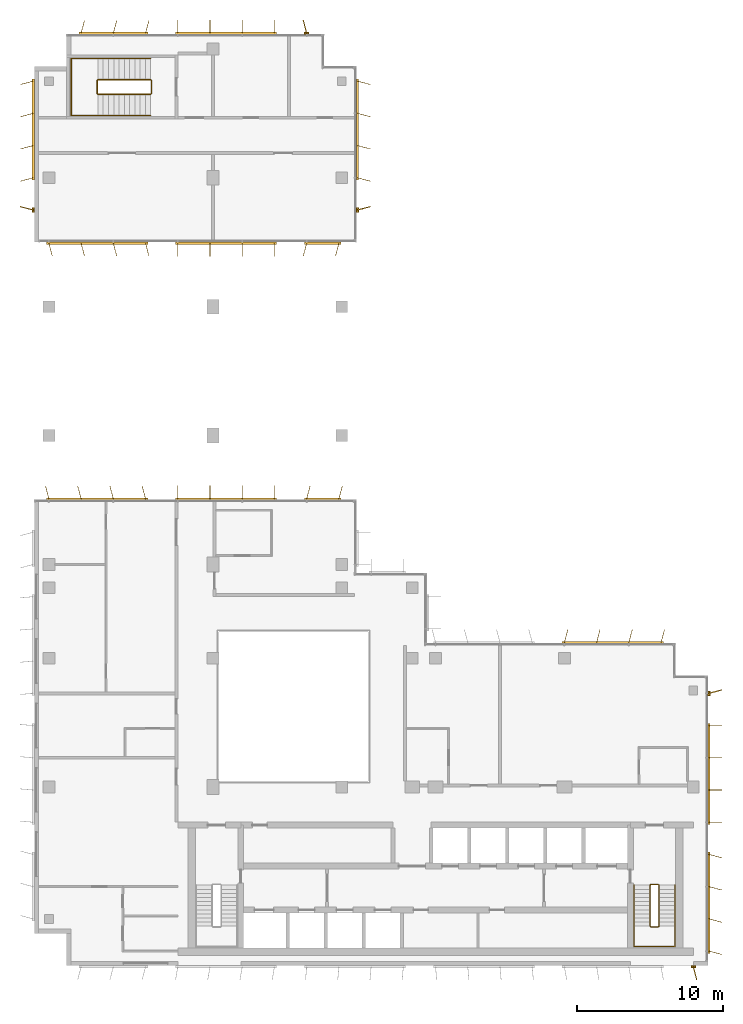
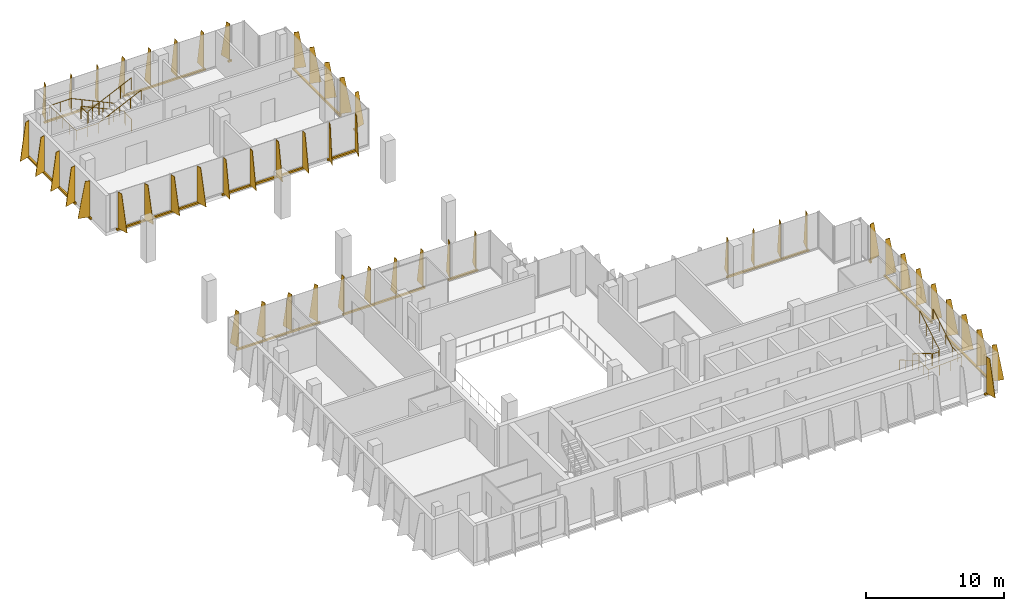
# One storey, part 13 of 13: 18 shading devices, 4 railings.
"""IFC4 building model written with IfcOpenShell, lengths in metres."""

from ifc_helpers import new_model, si_unit, direction, frame, origin, origin_2d, place, context, subcontext, project, spatial, polyline, rectangle, circle, outline, extrude, source, transform, mapped, material, layer, layer_set, type_object, element, save


model = new_model("IFC4")

# Units and contexts
model_context = context("Model", 3, precision=1e-05, world=origin(), true_north=direction((0.0, 1.0)))
body_context = subcontext(model_context, "Body", "Model", "MODEL_VIEW")
ifc_project = project(units=[si_unit("LENGTHUNIT", "METRE"), si_unit("AREAUNIT", "SQUARE_METRE"), si_unit("VOLUMEUNIT", "CUBIC_METRE"), si_unit("PLANEANGLEUNIT", "RADIAN"), si_unit("MASSUNIT", "GRAM", prefix="KILO")], contexts=[model_context])

# Site, building, storey
site_placement = place(None, origin())
site = spatial("IfcSite", under=ifc_project, at=site_placement, CompositionType="ELEMENT")
building_placement = place(site_placement, origin())
building = spatial("IfcBuilding", under=site, at=building_placement, Name="Kemantara Hotel Tower", CompositionType="ELEMENT")
storey_placement = place(building_placement, frame((0.0, 0.0, 252.39990234375)))
storey = spatial("IfcBuildingStorey", under=building, at=storey_placement, Name="L63", CompositionType="ELEMENT", Elevation=252.39990234375)

# Railings
ifc_material_1 = material(Name="Stainless steel balustrade", Category="steel")
railing_type_1 = type_object("IfcRailingType", Name="Stair guard 1100 mm", PredefinedType="GUARDRAIL", material=ifc_material_1)
railing_1_placement = place(storey_placement, frame((42.64990234375, 5.5, 3.7001953125)))
element("IfcRailing", 1, at=railing_1_placement, inside=storey, type_object=railing_type_1, Name="L63 ST2 stair guard 1", PredefinedType="GUARDRAIL", context=body_context, shape_type="SweptSolid", body=[
    extrude(circle(Radius=0.02392578125, at=origin_2d()), frame((0.0, 0.0, 1.076171875), z_axis=(0.0, -0.857242210791, -0.514913383045), x_axis=(1.0, 0.0, 0.0)), (0.0, 0.0, 1.0), 3.266357421875),
    extrude(circle(Radius=0.02392578125, at=origin_2d()), frame((0.0, -2.800048828125, -0.60595703125), z_axis=(-0.273006030465, -0.27434429532, -0.922064485248), x_axis=(0.708833529934, -0.705375805398, 0.0)), (0.0, 0.0, 1.0), 0.182373046875),
    extrude(circle(Radius=0.02392578125, at=origin_2d()), frame((-0.0498046875, -2.85009765625, -0.77392578125), z_axis=(-1.0, 0.0, 0.0), x_axis=(0.0, -1.0, 0.0)), (0.0, 0.0, 1.0), 0.5),
    extrude(circle(Radius=0.02392578125, at=origin_2d()), frame((-0.5498046875, -2.85009765625, -0.77392578125), z_axis=(-0.707106781187, 0.707106781187, 0.0), x_axis=(-0.707106781187, -0.707106781187, 0.0)), (0.0, 0.0, 1.0), 0.07080078125),
    extrude(circle(Radius=0.02392578125, at=origin_2d()), frame((-0.599853515625, -2.800048828125, -0.77392578125), z_axis=(0.0, 0.857242210791, -0.514913383045), x_axis=(-1.0, 0.0, 0.0)), (0.0, 0.0, 1.0), 3.266357421875),
    extrude(circle(Radius=0.02392578125, at=origin_2d()), frame((-0.599853515625, 0.0, -2.4560546875), z_axis=(0.274243871929, 0.274243871929, -0.92172696468), x_axis=(-0.707106781187, 0.707106781187, 0.0)), (0.0, 0.0, 1.0), 0.1826171875),
    extrude(circle(Radius=0.02392578125, at=origin_2d()), frame((-0.5498046875, 0.050048828125, -2.6240234375), z_axis=(1.0, 0.0, 0.0), x_axis=(0.0, 1.0, 0.0)), (0.0, 0.0, 1.0), 0.5),
    extrude(circle(Radius=0.02099609375, at=origin_2d()), origin(), (0.0, 0.0, 1.0), 1.052001953125),
    extrude(circle(Radius=0.02099609375, at=origin_2d()), frame((0.0, -0.933349609375, -0.560546875)), (0.0, 0.0, 1.0), 1.052001953125),
    extrude(circle(Radius=0.02099609375, at=origin_2d()), frame((0.0, -1.86669921875, -1.121337890625)), (0.0, 0.0, 1.0), 1.052001953125),
    extrude(circle(Radius=0.02099609375, at=origin_2d()), frame((0.0, -2.800048828125, -1.681884765625)), (0.0, 0.0, 1.0), 1.052001953125),
    extrude(circle(Radius=0.02099609375, at=origin_2d()), frame((-0.0498046875, -2.85009765625, -1.85009765625)), (0.0, 0.0, 1.0), 1.052001953125),
    extrude(circle(Radius=0.02099609375, at=origin_2d()), frame((-0.5498046875, -2.85009765625, -1.85009765625)), (0.0, 0.0, 1.0), 1.052001953125),
    extrude(circle(Radius=0.02099609375, at=origin_2d()), frame((-0.599853515625, -2.800048828125, -1.85009765625)), (0.0, 0.0, 1.0), 1.052001953125),
    extrude(circle(Radius=0.02099609375, at=origin_2d()), frame((-0.599853515625, -1.86669921875, -2.41064453125)), (0.0, 0.0, 1.0), 1.052001953125),
    extrude(circle(Radius=0.02099609375, at=origin_2d()), frame((-0.599853515625, -0.933349609375, -2.971435546875)), (0.0, 0.0, 1.0), 1.052001953125),
    extrude(circle(Radius=0.02099609375, at=origin_2d()), frame((-0.599853515625, 0.0, -3.531982421875)), (0.0, 0.0, 1.0), 1.052001953125),
    extrude(circle(Radius=0.02099609375, at=origin_2d()), frame((-0.5498046875, 0.050048828125, -3.7001953125)), (0.0, 0.0, 1.0), 1.052001953125),
    extrude(circle(Radius=0.02099609375, at=origin_2d()), frame((-0.0498046875, 0.050048828125, -3.7001953125)), (0.0, 0.0, 1.0), 1.052001953125),
])
railing_2_placement = place(storey_placement, frame((7.949951171875, 59.5, 3.7001953125)))
element("IfcRailing", 2, at=railing_2_placement, inside=storey, type_object=railing_type_1, Name="L63 ST4 stair guard 1", PredefinedType="GUARDRAIL", context=body_context, shape_type="SweptSolid", body=[
    extrude(circle(Radius=0.02392578125, at=origin_2d()), frame((0.0, 0.0, 1.076171875), z_axis=(-0.905994681025, 0.0, -0.423289071386), x_axis=(0.0, -1.0, 0.0)), (0.0, 0.0, 1.0), 3.973388671875),
    extrude(circle(Radius=0.02392578125, at=origin_2d()), frame((-3.599853515625, 0.0, -0.60595703125), z_axis=(-0.274243871929, 0.274243871929, -0.92172696468), x_axis=(-0.707106781187, -0.707106781187, 0.0)), (0.0, 0.0, 1.0), 0.1826171875),
    extrude(circle(Radius=0.02392578125, at=origin_2d()), frame((-3.64990234375, 0.050048828125, -0.77392578125), z_axis=(0.0, 1.0, 0.0), x_axis=(-1.0, 0.0, 0.0)), (0.0, 0.0, 1.0), 0.89990234375),
    extrude(circle(Radius=0.02392578125, at=origin_2d()), frame((-3.64990234375, 0.949951171875, -0.77392578125), z_axis=(0.707106781187, 0.707106781187, 0.0), x_axis=(-0.707106781187, 0.707106781187, 0.0)), (0.0, 0.0, 1.0), 0.07080078125),
    extrude(circle(Radius=0.02392578125, at=origin_2d()), frame((-3.599853515625, 1.0, -0.77392578125), z_axis=(0.905994681025, 0.0, -0.423289071386), x_axis=(0.0, 1.0, 0.0)), (0.0, 0.0, 1.0), 3.973388671875),
    extrude(circle(Radius=0.02392578125, at=origin_2d()), frame((0.0, 1.0, -2.4560546875), z_axis=(0.274243871929, -0.274243871929, -0.92172696468), x_axis=(0.707106781187, 0.707106781187, 0.0)), (0.0, 0.0, 1.0), 0.1826171875),
    extrude(circle(Radius=0.02392578125, at=origin_2d()), frame((0.050048828125, 0.949951171875, -2.6240234375), z_axis=(0.0, -1.0, 0.0), x_axis=(1.0, 0.0, 0.0)), (0.0, 0.0, 1.0), 0.89990234375),
    extrude(circle(Radius=0.02099609375, at=origin_2d()), origin(), (0.0, 0.0, 1.0), 1.052001953125),
    extrude(circle(Radius=0.02099609375, at=origin_2d()), frame((-0.89990234375, 0.0, -0.42041015625)), (0.0, 0.0, 1.0), 1.052001953125),
    extrude(circle(Radius=0.02099609375, at=origin_2d()), frame((-1.7998046875, 0.0, -0.8408203125)), (0.0, 0.0, 1.0), 1.052001953125),
    extrude(circle(Radius=0.02099609375, at=origin_2d()), frame((-2.699951171875, 0.0, -1.261474609375)), (0.0, 0.0, 1.0), 1.052001953125),
    extrude(circle(Radius=0.02099609375, at=origin_2d()), frame((-3.599853515625, 0.0, -1.681884765625)), (0.0, 0.0, 1.0), 1.052001953125),
    extrude(circle(Radius=0.02099609375, at=origin_2d()), frame((-3.64990234375, 0.050048828125, -1.85009765625)), (0.0, 0.0, 1.0), 1.052001953125),
    extrude(circle(Radius=0.02099609375, at=origin_2d()), frame((-3.64990234375, 0.949951171875, -1.85009765625)), (0.0, 0.0, 1.0), 1.052001953125),
    extrude(circle(Radius=0.02099609375, at=origin_2d()), frame((-3.599853515625, 1.0, -1.85009765625)), (0.0, 0.0, 1.0), 1.052001953125),
    extrude(circle(Radius=0.02099609375, at=origin_2d()), frame((-2.699951171875, 1.0, -2.2705078125)), (0.0, 0.0, 1.0), 1.052001953125),
    extrude(circle(Radius=0.02099609375, at=origin_2d()), frame((-1.7998046875, 1.0, -2.69091796875)), (0.0, 0.0, 1.0), 1.052001953125),
    extrude(circle(Radius=0.02099609375, at=origin_2d()), frame((-0.89990234375, 1.0, -3.111572265625)), (0.0, 0.0, 1.0), 1.052001953125),
    extrude(circle(Radius=0.02099609375, at=origin_2d()), frame((0.0, 1.0, -3.531982421875)), (0.0, 0.0, 1.0), 1.052001953125),
    extrude(circle(Radius=0.02099609375, at=origin_2d()), frame((0.050048828125, 0.949951171875, -3.7001953125)), (0.0, 0.0, 1.0), 1.052001953125),
    extrude(circle(Radius=0.02099609375, at=origin_2d()), frame((0.050048828125, 0.050048828125, -3.7001953125)), (0.0, 0.0, 1.0), 1.052001953125),
])
railing_type_2 = type_object("IfcRailingType", Name="Stair handrail 900 mm", PredefinedType="HANDRAIL", material=ifc_material_1)
railing_3_placement = place(storey_placement, frame((40.949951171875, 5.5, 0.168212890625)))
element("IfcRailing", 3, at=railing_3_placement, inside=storey, type_object=railing_type_2, Name="L63 ST2 stair handrail 1", PredefinedType="HANDRAIL", context=body_context, shape_type="SweptSolid", body=[
    extrude(circle(Radius=0.02392578125, at=origin_2d()), frame((0.0, 0.0, 0.8759765625), z_axis=(0.0, -0.857242210791, 0.514913383045), x_axis=(1.0, 0.0, 0.0)), (0.0, 0.0, 1.0), 3.266357421875),
    extrude(circle(Radius=0.02392578125, at=origin_2d()), frame((0.0, -2.800048828125, 2.5576171875), z_axis=(0.0, -1.0, 0.0), x_axis=(1.0, 0.0, 0.0)), (0.0, 0.0, 1.0), 1.3798828125),
    extrude(circle(Radius=0.02392578125, at=origin_2d()), frame((0.0, -4.179931640625, 2.5576171875), z_axis=(0.998200367801, 0.0, 0.059966871865), x_axis=(0.0, 1.0, 0.0)), (0.0, 0.0, 1.0), 2.80517578125),
    extrude(circle(Radius=0.02392578125, at=origin_2d()), frame((2.800048828125, -4.179931640625, 2.72607421875), z_axis=(0.0, 1.0, 0.0), x_axis=(-1.0, 0.0, 0.0)), (0.0, 0.0, 1.0), 1.3798828125),
    extrude(circle(Radius=0.02392578125, at=origin_2d()), frame((2.800048828125, -2.800048828125, 2.72607421875), z_axis=(0.0, 0.857242210791, 0.514913383045), x_axis=(-1.0, 0.0, 0.0)), (0.0, 0.0, 1.0), 3.266357421875),
    extrude(circle(Radius=0.02099609375, at=origin_2d()), origin(), (0.0, 0.0, 1.0), 0.851806640625),
    extrude(circle(Radius=0.02099609375, at=origin_2d()), frame((0.0, -0.933349609375, 0.560546875)), (0.0, 0.0, 1.0), 0.851806640625),
    extrude(circle(Radius=0.02099609375, at=origin_2d()), frame((0.0, -1.86669921875, 1.121337890625)), (0.0, 0.0, 1.0), 0.851806640625),
    extrude(circle(Radius=0.02099609375, at=origin_2d()), frame((0.0, -2.800048828125, 1.681884765625)), (0.0, 0.0, 1.0), 0.851806640625),
    extrude(circle(Radius=0.02099609375, at=origin_2d()), frame((0.0, -3.489990234375, 1.681884765625)), (0.0, 0.0, 1.0), 0.851806640625),
    extrude(circle(Radius=0.02099609375, at=origin_2d()), frame((0.0, -4.179931640625, 1.681884765625)), (0.0, 0.0, 1.0), 0.851806640625),
    extrude(circle(Radius=0.02099609375, at=origin_2d()), frame((0.933349609375, -4.179931640625, 1.738037109375)), (0.0, 0.0, 1.0), 0.851806640625),
    extrude(circle(Radius=0.02099609375, at=origin_2d()), frame((1.86669921875, -4.179931640625, 1.7939453125)), (0.0, 0.0, 1.0), 0.851806640625),
    extrude(circle(Radius=0.02099609375, at=origin_2d()), frame((2.800048828125, -4.179931640625, 1.85009765625)), (0.0, 0.0, 1.0), 0.851806640625),
    extrude(circle(Radius=0.02099609375, at=origin_2d()), frame((2.800048828125, -3.489990234375, 1.85009765625)), (0.0, 0.0, 1.0), 0.851806640625),
    extrude(circle(Radius=0.02099609375, at=origin_2d()), frame((2.800048828125, -2.800048828125, 1.85009765625)), (0.0, 0.0, 1.0), 0.851806640625),
    extrude(circle(Radius=0.02099609375, at=origin_2d()), frame((2.800048828125, -1.86669921875, 2.41064453125)), (0.0, 0.0, 1.0), 0.851806640625),
    extrude(circle(Radius=0.02099609375, at=origin_2d()), frame((2.800048828125, -0.933349609375, 2.971435546875)), (0.0, 0.0, 1.0), 0.851806640625),
    extrude(circle(Radius=0.02099609375, at=origin_2d()), frame((2.800048828125, 0.0, 3.531982421875)), (0.0, 0.0, 1.0), 0.851806640625),
])
railing_4_placement = place(storey_placement, frame((7.949951171875, 61.949951171875, 0.168212890625)))
element("IfcRailing", 4, at=railing_4_placement, inside=storey, type_object=railing_type_2, Name="L63 ST4 stair handrail 1", PredefinedType="HANDRAIL", context=body_context, shape_type="SweptSolid", body=[
    extrude(circle(Radius=0.02392578125, at=origin_2d()), frame((0.0, 0.0, 0.8759765625), z_axis=(-0.905994681025, 0.0, 0.423289071386), x_axis=(0.0, -1.0, 0.0)), (0.0, 0.0, 1.0), 3.973388671875),
    extrude(circle(Radius=0.02392578125, at=origin_2d()), frame((-3.599853515625, 0.0, 2.5576171875), z_axis=(-1.0, 0.0, 0.0), x_axis=(0.0, -1.0, 0.0)), (0.0, 0.0, 1.0), 1.830078125),
    extrude(circle(Radius=0.02392578125, at=origin_2d()), frame((-5.429931640625, 0.0, 2.5576171875), z_axis=(0.0, -0.999071085748, 0.043092523981), x_axis=(1.0, 0.0, 0.0)), (0.0, 0.0, 1.0), 3.903564453125),
    extrude(circle(Radius=0.02392578125, at=origin_2d()), frame((-5.429931640625, -3.89990234375, 2.72607421875), z_axis=(1.0, 0.0, 0.0), x_axis=(0.0, 1.0, 0.0)), (0.0, 0.0, 1.0), 1.830078125),
    extrude(circle(Radius=0.02392578125, at=origin_2d()), frame((-3.599853515625, -3.89990234375, 2.72607421875), z_axis=(0.905994681025, 0.0, 0.423289071386), x_axis=(0.0, 1.0, 0.0)), (0.0, 0.0, 1.0), 3.973388671875),
    extrude(circle(Radius=0.02099609375, at=origin_2d()), origin(), (0.0, 0.0, 1.0), 0.851806640625),
    extrude(circle(Radius=0.02099609375, at=origin_2d()), frame((-0.89990234375, 0.0, 0.42041015625)), (0.0, 0.0, 1.0), 0.851806640625),
    extrude(circle(Radius=0.02099609375, at=origin_2d()), frame((-1.7998046875, 0.0, 0.8408203125)), (0.0, 0.0, 1.0), 0.851806640625),
    extrude(circle(Radius=0.02099609375, at=origin_2d()), frame((-2.699951171875, 0.0, 1.261474609375)), (0.0, 0.0, 1.0), 0.851806640625),
    extrude(circle(Radius=0.02099609375, at=origin_2d()), frame((-3.599853515625, 0.0, 1.681884765625)), (0.0, 0.0, 1.0), 0.851806640625),
    extrude(circle(Radius=0.02099609375, at=origin_2d()), frame((-4.514892578125, 0.0, 1.681884765625)), (0.0, 0.0, 1.0), 0.851806640625),
    extrude(circle(Radius=0.02099609375, at=origin_2d()), frame((-5.429931640625, 0.0, 1.681884765625)), (0.0, 0.0, 1.0), 0.851806640625),
    extrude(circle(Radius=0.02099609375, at=origin_2d()), frame((-5.429931640625, -0.97509765625, 1.723876953125)), (0.0, 0.0, 1.0), 0.851806640625),
    extrude(circle(Radius=0.02099609375, at=origin_2d()), frame((-5.429931640625, -1.949951171875, 1.76611328125)), (0.0, 0.0, 1.0), 0.851806640625),
    extrude(circle(Radius=0.02099609375, at=origin_2d()), frame((-5.429931640625, -2.9248046875, 1.80810546875)), (0.0, 0.0, 1.0), 0.851806640625),
    extrude(circle(Radius=0.02099609375, at=origin_2d()), frame((-5.429931640625, -3.89990234375, 1.85009765625)), (0.0, 0.0, 1.0), 0.851806640625),
    extrude(circle(Radius=0.02099609375, at=origin_2d()), frame((-4.514892578125, -3.89990234375, 1.85009765625)), (0.0, 0.0, 1.0), 0.851806640625),
    extrude(circle(Radius=0.02099609375, at=origin_2d()), frame((-3.599853515625, -3.89990234375, 1.85009765625)), (0.0, 0.0, 1.0), 0.851806640625),
    extrude(circle(Radius=0.02099609375, at=origin_2d()), frame((-2.699951171875, -3.89990234375, 2.2705078125)), (0.0, 0.0, 1.0), 0.851806640625),
    extrude(circle(Radius=0.02099609375, at=origin_2d()), frame((-1.7998046875, -3.89990234375, 2.69091796875)), (0.0, 0.0, 1.0), 0.851806640625),
    extrude(circle(Radius=0.02099609375, at=origin_2d()), frame((-0.89990234375, -3.89990234375, 3.111572265625)), (0.0, 0.0, 1.0), 0.851806640625),
    extrude(circle(Radius=0.02099609375, at=origin_2d()), frame((0.0, -3.89990234375, 3.531982421875)), (0.0, 0.0, 1.0), 0.851806640625),
])

# Shading devices
ifc_material_2 = material(Name="Perforated aluminium plate 4 mm bronze anodised", Category="aluminium")
ifc_layer_1 = layer(ifc_material_2, 0.0400390625)
ifc_layer_set_1 = layer_set([ifc_layer_1], Name="Perforated aluminium plate 4 mm bronze anodised")
shading_device_type_1 = type_object("IfcShadingDeviceType", Name="SCREEN FIN CASSETTE, 3 BLADES AT -15.0 DEG, 3200 HIGH", PredefinedType="USERDEFINED", material=ifc_layer_set_1)
shared_shape_1 = source(origin(), body_context, "Body", "SweptSolid", [
    extrude(rectangle(XDim=4.699951171875, YDim=0.14990234375, at=origin_2d()), frame((2.199951171875, -0.074951171875, -0.14990234375), z_axis=(0.0, 0.0, 1.0), x_axis=(1.0, 0.0, 0.0)), (0.0, 0.0, 1.0), 0.14990234375),
    extrude(outline(polyline([(0.0, 0.0), (0.89990234375, 0.0), (0.35009765625, 3.199951171875), (0.0, 3.199951171875), (0.0, 0.0)])), frame((0.019287109375, -0.080078125, 0.0), z_axis=(-0.966437683387, 0.256901156343, 0.0), x_axis=(-0.256901156343, -0.966437683387, 0.0)), (0.0, 0.0, 1.0), 0.039794921875),
    extrude(outline(polyline([(0.0, 0.0), (0.89990234375, 0.0), (0.35009765625, 3.199951171875), (0.0, 3.199951171875), (0.0, 0.0)])), frame((2.21923828125, -0.080078125, 0.0), z_axis=(-0.966437683387, 0.256901156343, 0.0), x_axis=(-0.256901156343, -0.966437683387, 0.0)), (0.0, 0.0, 1.0), 0.039794921875),
    extrude(outline(polyline([(0.0, 0.0), (0.89990234375, 0.0), (0.35009765625, 3.199951171875), (0.0, 3.199951171875), (0.0, 0.0)])), frame((4.41943359375, -0.080078125, 0.0), z_axis=(-0.966837822169, 0.255391122837, 0.0), x_axis=(-0.255391122837, -0.966837822169, 0.0)), (0.0, 0.0, 1.0), 0.0400390625),
])
shading_device_1_placement = place(storey_placement, frame((7.60009765625, 63.60009765625, 0.10009765625), z_axis=(0.0, 0.0, 1.0), x_axis=(-1.0, 0.0, 0.0)))
element("IfcShadingDevice", 5, at=shading_device_1_placement, inside=storey, type_object=shading_device_type_1, Name="SCREEN FIN CASSETTE L63 T4P-R16-3", ObjectType="SCREEN FIN", PredefinedType="USERDEFINED", context=body_context, shape_type="MappedRepresentation", body=[
    mapped(shared_shape_1, transform((0.0, 0.0, 0.0))),
])
ifc_layer_2 = layer(ifc_material_2, 0.0400390625)
ifc_layer_set_2 = layer_set([ifc_layer_2], Name="Perforated aluminium plate 4 mm bronze anodised")
shading_device_type_2 = type_object("IfcShadingDeviceType", Name="SCREEN FIN CASSETTE, 4 BLADES AT +0.0 DEG, 3200 HIGH", PredefinedType="USERDEFINED", material=ifc_layer_set_2)
shared_shape_2 = source(origin(), body_context, "Body", "SweptSolid", [
    extrude(rectangle(XDim=6.89990234375, YDim=0.14990234375, at=origin_2d()), frame((3.300048828125, -0.074951171875, -0.14990234375), z_axis=(0.0, 0.0, 1.0), x_axis=(1.0, 0.0, 0.0)), (0.0, 0.0, 1.0), 0.14990234375),
    extrude(outline(polyline([(0.0, 0.0), (0.89990234375, 0.0), (0.35009765625, 3.199951171875), (0.0, 3.199951171875), (0.0, 0.0)])), frame((0.02001953125, -0.074951171875, 0.0), z_axis=(-1.0, 0.0, 0.0), x_axis=(0.0, -1.0, 0.0)), (0.0, 0.0, 1.0), 0.0400390625),
    extrude(outline(polyline([(0.0, 0.0), (0.89990234375, 0.0), (0.35009765625, 3.199951171875), (0.0, 3.199951171875), (0.0, 0.0)])), frame((2.219970703125, -0.074951171875, 0.0), z_axis=(-1.0, 0.0, 0.0), x_axis=(0.0, -1.0, 0.0)), (0.0, 0.0, 1.0), 0.0400390625),
    extrude(outline(polyline([(0.0, 0.0), (0.89990234375, 0.0), (0.35009765625, 3.199951171875), (0.0, 3.199951171875), (0.0, 0.0)])), frame((4.419921875, -0.074951171875, 0.0), z_axis=(-1.0, 0.0, 0.0), x_axis=(0.0, -1.0, 0.0)), (0.0, 0.0, 1.0), 0.0400390625),
    extrude(outline(polyline([(0.0, 0.0), (0.89990234375, 0.0), (0.35009765625, 3.199951171875), (0.0, 3.199951171875), (0.0, 0.0)])), frame((6.6201171875, -0.074951171875, 0.0), z_axis=(-1.0, 0.0, 0.0), x_axis=(0.0, -1.0, 0.0)), (0.0, 0.0, 1.0), 0.0400390625),
])
for number, where, z_axis, x_axis, name in (
    (6, (16.39990234375, 31.800048828125, 0.10009765625), (0.0, 0.0, 1.0), (-1.0, 0.0, 0.0), "SCREEN FIN CASSETTE L63 T4P-R01-2"),
    (7, (46.0, 9.800048828125, 0.10009765625), (0.0, 0.0, 1.0), (0.0, 1.0, 0.0), "SCREEN FIN CASSETTE L63 T4P-R06-2"),
    (8, (9.800048828125, 49.39990234375, 0.10009765625), (0.0, 0.0, 1.0), (1.0, 0.0, 0.0), "SCREEN FIN CASSETTE L63 T4P-R12-2"),
    (9, (16.39990234375, 63.60009765625, 0.10009765625), (0.0, 0.0, 1.0), (-1.0, 0.0, 0.0), "SCREEN FIN CASSETTE L63 T4P-R16-2"),
):
    element("IfcShadingDevice", number, at=place(storey_placement, frame(where, z_axis=z_axis, x_axis=x_axis)), inside=storey, type_object=shading_device_type_2, Name=name, ObjectType="SCREEN FIN", PredefinedType="USERDEFINED", context=body_context, shape_type="MappedRepresentation", body=[
        mapped(shared_shape_2, transform((0.0, 0.0, 0.0))),
    ])
ifc_layer_3 = layer(ifc_material_2, 0.0400390625)
ifc_layer_set_3 = layer_set([ifc_layer_3], Name="Perforated aluminium plate 4 mm bronze anodised")
shading_device_type_3 = type_object("IfcShadingDeviceType", Name="SCREEN FIN CASSETTE, 4 BLADES AT +15.0 DEG, 3200 HIGH", PredefinedType="USERDEFINED", material=ifc_layer_set_3)
shared_shape_3 = source(origin(), body_context, "Body", "SweptSolid", [
    extrude(rectangle(XDim=6.89990234375, YDim=0.14990234375, at=origin_2d()), frame((3.300048828125, -0.074951171875, -0.14990234375), z_axis=(0.0, 0.0, 1.0), x_axis=(1.0, 0.0, 0.0)), (0.0, 0.0, 1.0), 0.14990234375),
    extrude(outline(polyline([(0.0, 0.0), (0.89990234375, 0.0), (0.35009765625, 3.199951171875), (0.0, 3.199951171875), (0.0, 0.0)])), frame((0.019287109375, -0.06982421875, 0.0), z_axis=(-0.966437683387, -0.256901156343, 0.0), x_axis=(0.256901156343, -0.966437683387, 0.0)), (0.0, 0.0, 1.0), 0.039794921875),
    extrude(outline(polyline([(0.0, 0.0), (0.89990234375, 0.0), (0.35009765625, 3.199951171875), (0.0, 3.199951171875), (0.0, 0.0)])), frame((2.21923828125, -0.06982421875, 0.0), z_axis=(-0.966437683387, -0.256901156343, 0.0), x_axis=(0.256901156343, -0.966437683387, 0.0)), (0.0, 0.0, 1.0), 0.039794921875),
    extrude(outline(polyline([(0.0, 0.0), (0.89990234375, 0.0), (0.35009765625, 3.199951171875), (0.0, 3.199951171875), (0.0, 0.0)])), frame((4.41943359375, -0.06982421875, 0.0), z_axis=(-0.966837822169, -0.255391122837, 0.0), x_axis=(0.255391122837, -0.966837822169, 0.0)), (0.0, 0.0, 1.0), 0.0400390625),
    extrude(outline(polyline([(0.0, 0.0), (0.89990234375, 0.0), (0.35009765625, 3.199951171875), (0.0, 3.199951171875), (0.0, 0.0)])), frame((6.619384765625, -0.06982421875, 0.0), z_axis=(-0.966837822169, -0.255391122837, 0.0), x_axis=(0.255391122837, -0.966837822169, 0.0)), (0.0, 0.0, 1.0), 0.0400390625),
])
for number, where, z_axis, x_axis, name in (
    (10, (7.60009765625, 31.800048828125, 0.10009765625), (0.0, 0.0, 1.0), (-1.0, 0.0, 0.0), "SCREEN FIN CASSETTE L63 T4P-R01-3"),
    (11, (1.0, 49.39990234375, 0.10009765625), (0.0, 0.0, 1.0), (1.0, 0.0, 0.0), "SCREEN FIN CASSETTE L63 T4P-R12-1"),
    (12, (0.0, 60.39990234375, 0.10009765625), (0.0, 0.0, 1.0), (0.0, -1.0, 0.0), "SCREEN FIN CASSETTE L63 T4P-R19-1"),
):
    element("IfcShadingDevice", number, at=place(storey_placement, frame(where, z_axis=z_axis, x_axis=x_axis)), inside=storey, type_object=shading_device_type_3, Name=name, ObjectType="SCREEN FIN", PredefinedType="USERDEFINED", context=body_context, shape_type="MappedRepresentation", body=[
        mapped(shared_shape_3, transform((0.0, 0.0, 0.0))),
    ])
ifc_layer_4 = layer(ifc_material_2, 0.0400390625)
ifc_layer_set_4 = layer_set([ifc_layer_4], Name="Perforated aluminium plate 4 mm bronze anodised")
shading_device_type_4 = type_object("IfcShadingDeviceType", Name="SCREEN FIN CASSETTE, 4 BLADES AT -15.0 DEG, 3200 HIGH", PredefinedType="USERDEFINED", material=ifc_layer_set_4)
shared_shape_4 = source(origin(), body_context, "Body", "SweptSolid", [
    extrude(rectangle(XDim=6.89990234375, YDim=0.14990234375, at=origin_2d()), frame((3.300048828125, -0.074951171875, -0.14990234375), z_axis=(0.0, 0.0, 1.0), x_axis=(1.0, 0.0, 0.0)), (0.0, 0.0, 1.0), 0.14990234375),
    extrude(outline(polyline([(0.0, 0.0), (0.89990234375, 0.0), (0.35009765625, 3.199951171875), (0.0, 3.199951171875), (0.0, 0.0)])), frame((0.019287109375, -0.080078125, 0.0), z_axis=(-0.966437683387, 0.256901156343, 0.0), x_axis=(-0.256901156343, -0.966437683387, 0.0)), (0.0, 0.0, 1.0), 0.039794921875),
    extrude(outline(polyline([(0.0, 0.0), (0.89990234375, 0.0), (0.35009765625, 3.199951171875), (0.0, 3.199951171875), (0.0, 0.0)])), frame((2.21923828125, -0.080078125, 0.0), z_axis=(-0.966437683387, 0.256901156343, 0.0), x_axis=(-0.256901156343, -0.966437683387, 0.0)), (0.0, 0.0, 1.0), 0.039794921875),
    extrude(outline(polyline([(0.0, 0.0), (0.89990234375, 0.0), (0.35009765625, 3.199951171875), (0.0, 3.199951171875), (0.0, 0.0)])), frame((4.41943359375, -0.080078125, 0.0), z_axis=(-0.966837822169, 0.255391122837, 0.0), x_axis=(-0.255391122837, -0.966837822169, 0.0)), (0.0, 0.0, 1.0), 0.0400390625),
    extrude(outline(polyline([(0.0, 0.0), (0.89990234375, 0.0), (0.35009765625, 3.199951171875), (0.0, 3.199951171875), (0.0, 0.0)])), frame((6.619384765625, -0.080078125, 0.0), z_axis=(-0.966837822169, 0.255391122837, 0.0), x_axis=(-0.255391122837, -0.966837822169, 0.0)), (0.0, 0.0, 1.0), 0.0400390625),
])
for number, where, z_axis, x_axis, name in (
    (13, (46.0, 1.0, 0.10009765625), (0.0, 0.0, 1.0), (0.0, 1.0, 0.0), "SCREEN FIN CASSETTE L63 T4P-R06-1"),
    (14, (42.800048828125, 22.0, 0.10009765625), (0.0, 0.0, 1.0), (-1.0, 0.0, 0.0), "SCREEN FIN CASSETTE L63 T4P-R09-1"),
    (15, (22.0, 53.800048828125, 0.10009765625), (0.0, 0.0, 1.0), (0.0, 1.0, 0.0), "SCREEN FIN CASSETTE L63 T4P-R13-2"),
):
    element("IfcShadingDevice", number, at=place(storey_placement, frame(where, z_axis=z_axis, x_axis=x_axis)), inside=storey, type_object=shading_device_type_4, Name=name, ObjectType="SCREEN FIN", PredefinedType="USERDEFINED", context=body_context, shape_type="MappedRepresentation", body=[
        mapped(shared_shape_4, transform((0.0, 0.0, 0.0))),
    ])
ifc_layer_5 = layer(ifc_material_2, 0.0400390625)
ifc_layer_set_5 = layer_set([ifc_layer_5], Name="Perforated aluminium plate 4 mm bronze anodised")
shading_device_type_5 = type_object("IfcShadingDeviceType", Name="SCREEN FIN CASSETTE, 1 BLADE AT +15.0 DEG, 3200 HIGH", PredefinedType="USERDEFINED", material=ifc_layer_set_5)
shared_shape_5 = source(origin(), body_context, "Body", "SweptSolid", [
    extrude(rectangle(XDim=0.300048828125, YDim=0.14990234375, at=origin_2d()), frame((0.0, -0.074951171875, -0.14990234375), z_axis=(0.0, 0.0, 1.0), x_axis=(1.0, 0.0, 0.0)), (0.0, 0.0, 1.0), 0.14990234375),
    extrude(outline(polyline([(0.0, 0.0), (0.89990234375, 0.0), (0.35009765625, 3.199951171875), (0.0, 3.199951171875), (0.0, 0.0)])), frame((0.019287109375, -0.06982421875, 0.0), z_axis=(-0.966437683387, -0.256901156343, 0.0), x_axis=(0.256901156343, -0.966437683387, 0.0)), (0.0, 0.0, 1.0), 0.039794921875),
])
for number, where, z_axis, x_axis, name in (
    (16, (45.0, 0.0, 0.10009765625), (0.0, 0.0, 1.0), (1.0, 0.0, 0.0), "SCREEN FIN CASSETTE L63 T4P-R05-6"),
    (17, (46.0, 18.60009765625, 0.10009765625), (0.0, 0.0, 1.0), (0.0, 1.0, 0.0), "SCREEN FIN CASSETTE L63 T4P-R06-3"),
    (18, (22.0, 51.60009765625, 0.10009765625), (0.0, 0.0, 1.0), (0.0, 1.0, 0.0), "SCREEN FIN CASSETTE L63 T4P-R13-1"),
    (19, (18.60009765625, 63.60009765625, 0.10009765625), (0.0, 0.0, 1.0), (-1.0, 0.0, 0.0), "SCREEN FIN CASSETTE L63 T4P-R16-1"),
):
    element("IfcShadingDevice", number, at=place(storey_placement, frame(where, z_axis=z_axis, x_axis=x_axis)), inside=storey, type_object=shading_device_type_5, Name=name, ObjectType="SCREEN FIN", PredefinedType="USERDEFINED", context=body_context, shape_type="MappedRepresentation", body=[
        mapped(shared_shape_5, transform((0.0, 0.0, 0.0))),
    ])
ifc_layer_6 = layer(ifc_material_2, 0.0400390625)
ifc_layer_set_6 = layer_set([ifc_layer_6], Name="Perforated aluminium plate 4 mm bronze anodised")
shading_device_type_6 = type_object("IfcShadingDeviceType", Name="SCREEN FIN CASSETTE, 2 BLADES AT -15.0 DEG, 3200 HIGH", PredefinedType="USERDEFINED", material=ifc_layer_set_6)
shared_shape_6 = source(origin(), body_context, "Body", "SweptSolid", [
    extrude(rectangle(XDim=2.5, YDim=0.14990234375, at=origin_2d()), frame((1.10009765625, -0.074951171875, -0.14990234375), z_axis=(0.0, 0.0, 1.0), x_axis=(1.0, 0.0, 0.0)), (0.0, 0.0, 1.0), 0.14990234375),
    extrude(outline(polyline([(0.0, 0.0), (0.89990234375, 0.0), (0.35009765625, 3.199951171875), (0.0, 3.199951171875), (0.0, 0.0)])), frame((0.019287109375, -0.080078125, 0.0), z_axis=(-0.966437683387, 0.256901156343, 0.0), x_axis=(-0.256901156343, -0.966437683387, 0.0)), (0.0, 0.0, 1.0), 0.039794921875),
    extrude(outline(polyline([(0.0, 0.0), (0.89990234375, 0.0), (0.35009765625, 3.199951171875), (0.0, 3.199951171875), (0.0, 0.0)])), frame((2.21923828125, -0.080078125, 0.0), z_axis=(-0.966437683387, 0.256901156343, 0.0), x_axis=(-0.256901156343, -0.966437683387, 0.0)), (0.0, 0.0, 1.0), 0.039794921875),
])
for number, where, z_axis, x_axis, name in (
    (20, (20.800048828125, 31.800048828125, 0.10009765625), (0.0, 0.0, 1.0), (-1.0, 0.0, 0.0), "SCREEN FIN CASSETTE L63 T4P-R01-1"),
    (21, (18.60009765625, 49.39990234375, 0.10009765625), (0.0, 0.0, 1.0), (1.0, 0.0, 0.0), "SCREEN FIN CASSETTE L63 T4P-R12-3"),
):
    element("IfcShadingDevice", number, at=place(storey_placement, frame(where, z_axis=z_axis, x_axis=x_axis)), inside=storey, type_object=shading_device_type_6, Name=name, ObjectType="SCREEN FIN", PredefinedType="USERDEFINED", context=body_context, shape_type="MappedRepresentation", body=[
        mapped(shared_shape_6, transform((0.0, 0.0, 0.0))),
    ])
ifc_layer_7 = layer(ifc_material_2, 0.0400390625)
ifc_layer_set_7 = layer_set([ifc_layer_7], Name="Perforated aluminium plate 4 mm bronze anodised")
shading_device_type_7 = type_object("IfcShadingDeviceType", Name="SCREEN FIN CASSETTE, 1 BLADE AT -15.0 DEG, 3200 HIGH", PredefinedType="USERDEFINED", material=ifc_layer_set_7)
shared_shape_7 = source(origin(), body_context, "Body", "SweptSolid", [
    extrude(rectangle(XDim=0.300048828125, YDim=0.14990234375, at=origin_2d()), frame((0.0, -0.074951171875, -0.14990234375), z_axis=(0.0, 0.0, 1.0), x_axis=(1.0, 0.0, 0.0)), (0.0, 0.0, 1.0), 0.14990234375),
    extrude(outline(polyline([(0.0, 0.0), (0.89990234375, 0.0), (0.35009765625, 3.199951171875), (0.0, 3.199951171875), (0.0, 0.0)])), frame((0.019287109375, -0.080078125, 0.0), z_axis=(-0.966437683387, 0.256901156343, 0.0), x_axis=(-0.256901156343, -0.966437683387, 0.0)), (0.0, 0.0, 1.0), 0.039794921875),
])
shading_device_2_placement = place(storey_placement, frame((0.0, 51.60009765625, 0.10009765625), z_axis=(0.0, 0.0, 1.0), x_axis=(0.0, -1.0, 0.0)))
element("IfcShadingDevice", 22, at=shading_device_2_placement, inside=storey, type_object=shading_device_type_7, Name="SCREEN FIN CASSETTE L63 T4P-R19-2", ObjectType="SCREEN FIN", PredefinedType="USERDEFINED", context=body_context, shape_type="MappedRepresentation", body=[
    mapped(shared_shape_7, transform((0.0, 0.0, 0.0))),
])

save(model, "model.ifc")
